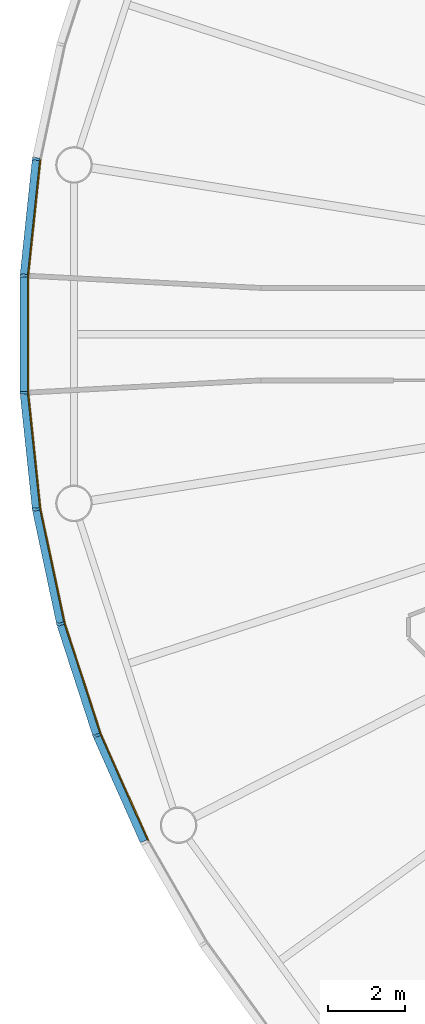
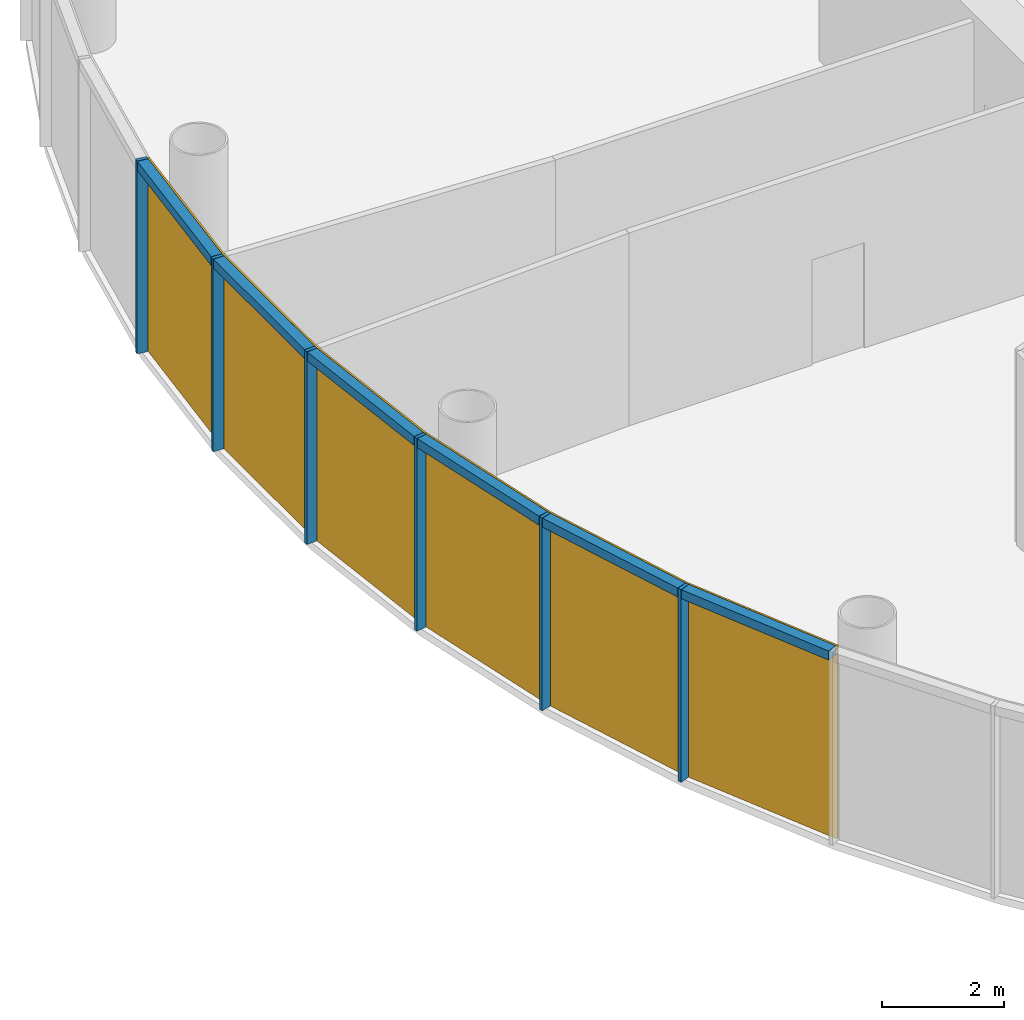
# One storey, part 8 of 13: 12 members, 2 curtain walls.
"""IFC4 building model written with IfcOpenShell, lengths in metres."""

from ifc_helpers import new_model, si_unit, direction, frame, origin, origin_2d, place, context, subcontext, project, spatial, polyline, rectangle, outline, extrude, material, layer, layer_set, material_profile, profile_set, type_object, element, aggregate, save


model = new_model("IFC4")

# Units and contexts
model_context = context("Model", 3, precision=1e-05, world=origin(), true_north=direction((0.0, 1.0)))
body_context = subcontext(model_context, "Body", "Model", "MODEL_VIEW")
ifc_project = project(units=[si_unit("LENGTHUNIT", "METRE"), si_unit("AREAUNIT", "SQUARE_METRE"), si_unit("VOLUMEUNIT", "CUBIC_METRE"), si_unit("PLANEANGLEUNIT", "RADIAN"), si_unit("MASSUNIT", "GRAM", prefix="KILO")], contexts=[model_context])

# Member
ifc_material_1 = material(Name="Anodised aluminium", Category="aluminium")
ifc_material_profile_1 = material_profile(ifc_material_1, rectangle(XDim=0.06494140625, YDim=0.195068359375, at=origin_2d()), Name="Mullion 65 x 195 mm anodised aluminium")
ifc_profile_set_1 = profile_set([ifc_material_profile_1], Name="Anodised aluminium")
member_type_1 = type_object("IfcMemberType", Name="Mullion 65 x 195 mm anodised aluminium", PredefinedType="MULLION", material=ifc_profile_set_1)
site_placement = place(None, origin())
building_placement = place(site_placement, origin())
storey_placement = place(building_placement, frame((0.0, 0.0, 302.0)))
member_1_placement = place(storey_placement, frame((61.2607421875, 84.5517578125, 0.0), z_axis=(0.0, 0.0, 1.0), x_axis=(-0.15643446504, -0.987688340595, 0.0)))
member_1 = element("IfcMember", 1, at=member_1_placement, type_object=member_type_1, Name="MULLION L69-27", PredefinedType="MULLION", context=body_context, shape_type="SweptSolid", body=[
    extrude(rectangle(XDim=0.06494140625, YDim=0.195068359375, at=origin_2d()), origin(), (0.0, 0.0, 1.0), 3.85009765625),
])

member_2_placement = place(storey_placement, frame((60.9423828125, 81.52294921875, 0.0), z_axis=(0.0, 0.0, 1.0), x_axis=(-0.052335956243, -0.998629534755, 0.0)))
member_2 = element("IfcMember", 2, at=member_2_placement, type_object=member_type_1, Name="MULLION L69-28", PredefinedType="MULLION", context=body_context, shape_type="SweptSolid", body=[
    extrude(rectangle(XDim=0.06494140625, YDim=0.195068359375, at=origin_2d()), origin(), (0.0, 0.0, 1.0), 3.85009765625),
])

member_3_placement = place(storey_placement, frame((60.9423828125, 78.47705078125, 0.0), z_axis=(0.0, 0.0, 1.0), x_axis=(0.052335956243, -0.998629534755, 0.0)))
member_3 = element("IfcMember", 3, at=member_3_placement, type_object=member_type_1, Name="MULLION L69-29", PredefinedType="MULLION", context=body_context, shape_type="SweptSolid", body=[
    extrude(rectangle(XDim=0.06494140625, YDim=0.195068359375, at=origin_2d()), origin(), (0.0, 0.0, 1.0), 3.85009765625),
])

member_4_placement = place(storey_placement, frame((61.2607421875, 75.4482421875, 0.0), z_axis=(0.0, 0.0, 1.0), x_axis=(0.15643446504, -0.987688340595, 0.0)))
member_4 = element("IfcMember", 4, at=member_4_placement, type_object=member_type_1, Name="MULLION L69-30", PredefinedType="MULLION", context=body_context, shape_type="SweptSolid", body=[
    extrude(rectangle(XDim=0.06494140625, YDim=0.195068359375, at=origin_2d()), origin(), (0.0, 0.0, 1.0), 3.85009765625),
])

member_5_placement = place(storey_placement, frame((61.89404296875, 72.468994140625, 0.0), z_axis=(0.0, 0.0, 1.0), x_axis=(0.258819045103, -0.965925826289, 0.0)))
member_5 = element("IfcMember", 5, at=member_5_placement, type_object=member_type_1, Name="MULLION L69-31", PredefinedType="MULLION", context=body_context, shape_type="SweptSolid", body=[
    extrude(rectangle(XDim=0.06494140625, YDim=0.195068359375, at=origin_2d()), origin(), (0.0, 0.0, 1.0), 3.85009765625),
])

member_6_placement = place(storey_placement, frame((62.835205078125, 69.572509765625, 0.0), z_axis=(0.0, 0.0, 1.0), x_axis=(0.358367949545, -0.933580426497, 0.0)))
member_6 = element("IfcMember", 6, at=member_6_placement, type_object=member_type_1, Name="MULLION L69-32", PredefinedType="MULLION", context=body_context, shape_type="SweptSolid", body=[
    extrude(rectangle(XDim=0.06494140625, YDim=0.195068359375, at=origin_2d()), origin(), (0.0, 0.0, 1.0), 3.85009765625),
])

ifc_material_2 = material(Name="Anodised aluminium", Category="aluminium")
ifc_material_profile_2 = material_profile(ifc_material_2, rectangle(XDim=0.195068359375, YDim=0.179931640625, at=origin_2d()), Name="Transom 180 x 195 mm anodised aluminium")
ifc_profile_set_2 = profile_set([ifc_material_profile_2], Name="Anodised aluminium")
member_type_2 = type_object("IfcMemberType", Name="Transom 180 x 195 mm anodised aluminium", PredefinedType="USERDEFINED", material=ifc_profile_set_2)
member_7_placement = place(storey_placement, frame((61.256591796875, 84.514404296875, 3.760009765625), z_axis=(-0.104466577987, -0.994528397827, 0.0), x_axis=(0.994528397827, -0.104466577987, 0.0)))
member_7 = element("IfcMember", 7, at=member_7_placement, type_object=member_type_2, Name="TRANSOM L69-27", ObjectType="TRANSOM", PredefinedType="USERDEFINED", context=body_context, shape_type="SweptSolid", body=[
    extrude(rectangle(XDim=0.195068359375, YDim=0.179931640625, at=origin_2d()), origin(), (0.0, 0.0, 1.0), 2.970458984375),
])

member_8_placement = place(storey_placement, frame((60.942138671875, 81.4853515625, 3.760009765625), z_axis=(0.0, -1.0, 0.0), x_axis=(1.0, 0.0, 0.0)))
member_8 = element("IfcMember", 8, at=member_8_placement, type_object=member_type_2, Name="TRANSOM L69-28", ObjectType="TRANSOM", PredefinedType="USERDEFINED", context=body_context, shape_type="SweptSolid", body=[
    extrude(rectangle(XDim=0.195068359375, YDim=0.179931640625, at=origin_2d()), origin(), (0.0, 0.0, 1.0), 2.970703125),
])

member_9_placement = place(storey_placement, frame((60.9462890625, 78.439697265625, 3.760009765625), z_axis=(0.104466577987, -0.994528397827, 0.0), x_axis=(0.994528397827, 0.104466577987, 0.0)))
member_9 = element("IfcMember", 9, at=member_9_placement, type_object=member_type_2, Name="TRANSOM L69-29", ObjectType="TRANSOM", PredefinedType="USERDEFINED", context=body_context, shape_type="SweptSolid", body=[
    extrude(rectangle(XDim=0.195068359375, YDim=0.179931640625, at=origin_2d()), origin(), (0.0, 0.0, 1.0), 2.970458984375),
])

member_10_placement = place(storey_placement, frame((61.268310546875, 75.411376953125, 3.760009765625), z_axis=(0.207940342877, -0.978141510112, 0.0), x_axis=(0.978141510112, 0.207940342877, 0.0)))
member_10 = element("IfcMember", 10, at=member_10_placement, type_object=member_type_2, Name="TRANSOM L69-30", ObjectType="TRANSOM", PredefinedType="USERDEFINED", context=body_context, shape_type="SweptSolid", body=[
    extrude(rectangle(XDim=0.195068359375, YDim=0.179931640625, at=origin_2d()), origin(), (0.0, 0.0, 1.0), 2.970458984375),
])

member_11_placement = place(storey_placement, frame((61.905517578125, 72.43310546875, 3.760009765625), z_axis=(0.309043326415, -0.951047960094, 0.0), x_axis=(0.951047960094, 0.309043326415, 0.0)))
member_11 = element("IfcMember", 11, at=member_11_placement, type_object=member_type_2, Name="TRANSOM L69-31", ObjectType="TRANSOM", PredefinedType="USERDEFINED", context=body_context, shape_type="SweptSolid", body=[
    extrude(rectangle(XDim=0.195068359375, YDim=0.179931640625, at=origin_2d()), origin(), (0.0, 0.0, 1.0), 2.970458984375),
])

member_12_placement = place(storey_placement, frame((62.850341796875, 69.5380859375, 3.760009765625), z_axis=(0.406725527369, -0.913550406593, 0.0), x_axis=(0.913550406593, 0.406725527369, 0.0)))
member_12 = element("IfcMember", 12, at=member_12_placement, type_object=member_type_2, Name="TRANSOM L69-32", ObjectType="TRANSOM", PredefinedType="USERDEFINED", context=body_context, shape_type="SweptSolid", body=[
    extrude(rectangle(XDim=0.195068359375, YDim=0.179931640625, at=origin_2d()), origin(), (0.0, 0.0, 1.0), 2.970703125),
])

# Site, building, storey
site = spatial("IfcSite", under=ifc_project, at=site_placement, CompositionType="ELEMENT")
building = spatial("IfcBuilding", under=site, at=building_placement, Name="Entoto Ring Tower", CompositionType="ELEMENT")
storey = spatial("IfcBuildingStorey", under=building, at=storey_placement, Name="L69", CompositionType="ELEMENT", Elevation=302.0)

# Curtain wall
ifc_material_3 = material(Name="Clear low-iron glass", Category="glass")
ifc_layer = layer(ifc_material_3, 0.033935546875)
ifc_layer_set = layer_set([ifc_layer], Name="Clear low-iron glass")
curtain_wall_type = type_object("IfcCurtainWallType", Name="Curtain wall system CW5 glazing 34 mm", PredefinedType="NOTDEFINED", material=ifc_layer_set)
curtain_wall_1_placement = place(storey_placement, origin())
curtain_wall_1 = element("IfcCurtainWall", 13, at=curtain_wall_1_placement, inside=storey, type_object=curtain_wall_type, Name="CW5 L69-10", PredefinedType="NOTDEFINED", context=body_context, shape_type="SweptSolid", body=[
    extrude(outline(polyline([(61.35693359375, 84.53662109375), (61.039794921875, 81.517822265625), (61.039794921875, 78.482177734375), (61.35693359375, 75.46337890625), (61.390625, 75.46875), (61.07373046875, 78.484130859375), (61.07373046875, 81.515869140625), (61.390625, 84.53125), (61.35693359375, 84.53662109375)])), origin(), (0.0, 0.0, 1.0), 3.85009765625),
])

aggregate(curtain_wall_1, [member_1, member_2, member_3, member_7, member_8, member_9])

curtain_wall_2_placement = place(storey_placement, origin())
curtain_wall_2 = element("IfcCurtainWall", 14, at=curtain_wall_2_placement, inside=storey, type_object=curtain_wall_type, Name="CW5 L69-11", PredefinedType="NOTDEFINED", context=body_context, shape_type="SweptSolid", body=[
    extrude(outline(polyline([(61.35693359375, 75.46337890625), (61.988037109375, 72.494140625), (62.92626953125, 69.607421875), (64.160888671875, 66.834228515625), (64.191162109375, 66.849853515625), (62.9580078125, 69.61962890625), (62.02099609375, 72.503173828125), (61.390625, 75.46875), (61.35693359375, 75.46337890625)])), origin(), (0.0, 0.0, 1.0), 3.85009765625),
])

aggregate(curtain_wall_2, [member_4, member_5, member_6, member_10, member_11, member_12])

save(model, "model.ifc")
